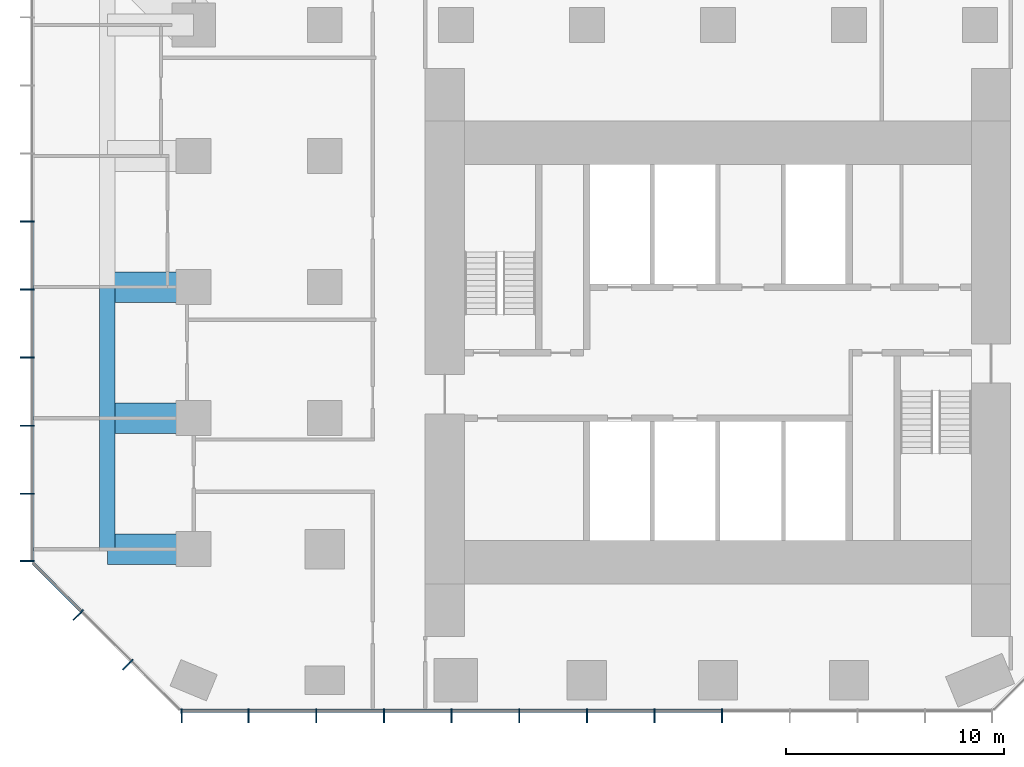
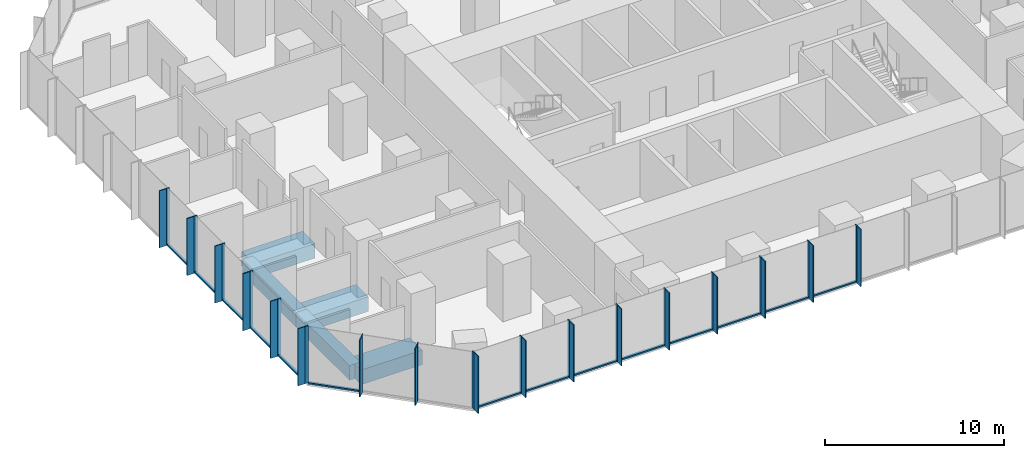
# One storey, part 2 of 11: 48 members, 5 beams, 3 elements without a shape of their own.
"""IFC4 building model written with IfcOpenShell, lengths in metres."""

from ifc_helpers import new_model, si_unit, direction, frame, origin, origin_2d, place, context, subcontext, project, spatial, rectangle, extrude, material, layer, layer_set, material_profile, profile_set, type_object, element, aggregate, save


model = new_model("IFC4")

# Units and contexts
model_context = context("Model", 3, precision=1e-05, world=origin(), true_north=direction((0.0, 1.0)))
body_context = subcontext(model_context, "Body", "Model", "MODEL_VIEW")
ifc_project = project(units=[si_unit("LENGTHUNIT", "METRE"), si_unit("AREAUNIT", "SQUARE_METRE"), si_unit("VOLUMEUNIT", "CUBIC_METRE"), si_unit("PLANEANGLEUNIT", "RADIAN"), si_unit("MASSUNIT", "GRAM", prefix="KILO")], contexts=[model_context])

# Site, building, storey
site_placement = place(None, origin())
site = spatial("IfcSite", under=ifc_project, at=site_placement, CompositionType="ELEMENT")
building_placement = place(site_placement, origin())
building = spatial("IfcBuilding", under=site, at=building_placement, Name="Highveld Stack Headquarters", CompositionType="ELEMENT")
storey_placement = place(building_placement, frame((0.0, 0.0, 97.699951171875)))
storey = spatial("IfcBuildingStorey", under=building, at=storey_placement, Name="L23", CompositionType="ELEMENT", Elevation=97.699951171875)

# Beams
ifc_material_1 = material(Name="Concrete C60/75", Category="concrete")
ifc_material_profile_1 = material_profile(ifc_material_1, rectangle(XDim=1.39990234375, YDim=1.0, at=origin_2d()), Name="RC 1400x1000")
ifc_profile_set_1 = profile_set([ifc_material_profile_1], Name="Concrete C60/75")
beam_type_1 = type_object("IfcBeamType", Name="CANTILEVER RIB RC 1400x1000", PredefinedType="USERDEFINED", material=ifc_profile_set_1)
for number, where, z_axis, x_axis, name in (
    (1, (-18.0, -6.0, -0.75), (-1.0, 0.0, 0.0), (0.0, -1.0, 0.0), "Cantilever rib 3/D L23"),
    (2, (-18.0, 0.0, -0.75), (-1.0, 0.0, 0.0), (0.0, -1.0, 0.0), "Cantilever rib 3/E L23"),
    (3, (-18.0, 6.0, -0.75), (-1.0, 0.0, 0.0), (0.0, -1.0, 0.0), "Cantilever rib 3/F L23"),
):
    element("IfcBeam", number, at=place(storey_placement, frame(where, z_axis=z_axis, x_axis=x_axis)), inside=storey, type_object=beam_type_1, Name=name, ObjectType="CANTILEVER RIB", PredefinedType="USERDEFINED", context=body_context, shape_type="SweptSolid", body=[
        extrude(rectangle(XDim=1.39990234375, YDim=1.0, at=origin_2d()), origin(), (0.0, 0.0, 1.0), 3.949951171875),
    ])

# Curtain wall, members
ifc_material_2 = material(Name="Aluminium bronze anodised", Category="aluminium")
ifc_layer_1 = layer(ifc_material_2, 0.199951171875)
ifc_layer_set_1 = layer_set([ifc_layer_1], Name="Aluminium bronze anodised")
curtain_wall_type_1 = type_object("IfcCurtainWallType", Name="CW1 TOWER UNITISED CURTAIN WALL", PredefinedType="NOTDEFINED", material=ifc_layer_set_1)
curtain_wall_1_placement = place(storey_placement, origin())
curtain_wall_1 = element("IfcCurtainWall", 4, at=curtain_wall_1_placement, inside=storey, type_object=curtain_wall_type_1, Name="Curtain wall CW1 L23 S", PredefinedType="NOTDEFINED")
ifc_material_3 = material(Name="Aluminium bronze anodised", Category="aluminium")
ifc_material_profile_2 = material_profile(ifc_material_3, rectangle(XDim=0.449951171875, YDim=0.06005859375, at=origin_2d()), Name="FIN 450x60")
ifc_profile_set_2 = profile_set([ifc_material_profile_2], Name="Aluminium bronze anodised")
member_type_1 = type_object("IfcMemberType", Name="CW1 BRONZE FIN 450x60", PredefinedType="USERDEFINED", material=ifc_profile_set_2)
member_1_placement = place(storey_placement, frame((-18.54736328125, -13.72509765625, 0.0), z_axis=(0.0, 0.0, 1.0), x_axis=(0.0, 1.0, 0.0)))
member_1 = element("IfcMember", 5, at=member_1_placement, type_object=member_type_1, Name="CW1 fin L23 1", ObjectType="FIN", PredefinedType="USERDEFINED", context=body_context, shape_type="SweptSolid", body=[
    extrude(rectangle(XDim=0.449951171875, YDim=0.06005859375, at=origin_2d()), origin(), (0.0, 0.0, 1.0), 3.900146484375),
])
member_2_placement = place(storey_placement, frame((-15.483154296875, -13.72509765625, 0.0), z_axis=(0.0, 0.0, 1.0), x_axis=(0.0, 1.0, 0.0)))
member_2 = element("IfcMember", 6, at=member_2_placement, type_object=member_type_1, Name="CW1 fin L23 2", ObjectType="FIN", PredefinedType="USERDEFINED", context=body_context, shape_type="SweptSolid", body=[
    extrude(rectangle(XDim=0.449951171875, YDim=0.06005859375, at=origin_2d()), origin(), (0.0, 0.0, 1.0), 3.900146484375),
])
member_3_placement = place(storey_placement, frame((-12.38671875, -13.72509765625, 0.0), z_axis=(0.0, 0.0, 1.0), x_axis=(0.0, 1.0, 0.0)))
member_3 = element("IfcMember", 7, at=member_3_placement, type_object=member_type_1, Name="CW1 fin L23 3", ObjectType="FIN", PredefinedType="USERDEFINED", context=body_context, shape_type="SweptSolid", body=[
    extrude(rectangle(XDim=0.449951171875, YDim=0.06005859375, at=origin_2d()), origin(), (0.0, 0.0, 1.0), 3.900146484375),
])
member_4_placement = place(storey_placement, frame((-9.289794921875, -13.72509765625, 0.0), z_axis=(0.0, 0.0, 1.0), x_axis=(0.0, 1.0, 0.0)))
member_4 = element("IfcMember", 8, at=member_4_placement, type_object=member_type_1, Name="CW1 fin L23 4", ObjectType="FIN", PredefinedType="USERDEFINED", context=body_context, shape_type="SweptSolid", body=[
    extrude(rectangle(XDim=0.449951171875, YDim=0.06005859375, at=origin_2d()), origin(), (0.0, 0.0, 1.0), 3.900146484375),
])
member_5_placement = place(storey_placement, frame((-6.193359375, -13.72509765625, 0.0), z_axis=(0.0, 0.0, 1.0), x_axis=(0.0, 1.0, 0.0)))
member_5 = element("IfcMember", 9, at=member_5_placement, type_object=member_type_1, Name="CW1 fin L23 5", ObjectType="FIN", PredefinedType="USERDEFINED", context=body_context, shape_type="SweptSolid", body=[
    extrude(rectangle(XDim=0.449951171875, YDim=0.06005859375, at=origin_2d()), origin(), (0.0, 0.0, 1.0), 3.900146484375),
])
member_6_placement = place(storey_placement, frame((-3.0966796875, -13.72509765625, 0.0), z_axis=(0.0, 0.0, 1.0), x_axis=(0.0, 1.0, 0.0)))
member_6 = element("IfcMember", 10, at=member_6_placement, type_object=member_type_1, Name="CW1 fin L23 6", ObjectType="FIN", PredefinedType="USERDEFINED", context=body_context, shape_type="SweptSolid", body=[
    extrude(rectangle(XDim=0.449951171875, YDim=0.06005859375, at=origin_2d()), origin(), (0.0, 0.0, 1.0), 3.900146484375),
])
member_7_placement = place(storey_placement, frame((0.0, -13.72509765625, 0.0), z_axis=(0.0, 0.0, 1.0), x_axis=(0.0, 1.0, 0.0)))
member_7 = element("IfcMember", 11, at=member_7_placement, type_object=member_type_1, Name="CW1 fin L23 7", ObjectType="FIN", PredefinedType="USERDEFINED", context=body_context, shape_type="SweptSolid", body=[
    extrude(rectangle(XDim=0.449951171875, YDim=0.06005859375, at=origin_2d()), origin(), (0.0, 0.0, 1.0), 3.900146484375),
])
member_8_placement = place(storey_placement, frame((3.0966796875, -13.72509765625, 0.0), z_axis=(0.0, 0.0, 1.0), x_axis=(0.0, 1.0, 0.0)))
member_8 = element("IfcMember", 12, at=member_8_placement, type_object=member_type_1, Name="CW1 fin L23 8", ObjectType="FIN", PredefinedType="USERDEFINED", context=body_context, shape_type="SweptSolid", body=[
    extrude(rectangle(XDim=0.449951171875, YDim=0.06005859375, at=origin_2d()), origin(), (0.0, 0.0, 1.0), 3.900146484375),
])
member_9_placement = place(storey_placement, frame((6.193359375, -13.72509765625, 0.0), z_axis=(0.0, 0.0, 1.0), x_axis=(0.0, 1.0, 0.0)))
member_9 = element("IfcMember", 13, at=member_9_placement, type_object=member_type_1, Name="CW1 fin L23 9", ObjectType="FIN", PredefinedType="USERDEFINED", context=body_context, shape_type="SweptSolid", body=[
    extrude(rectangle(XDim=0.449951171875, YDim=0.06005859375, at=origin_2d()), origin(), (0.0, 0.0, 1.0), 3.900146484375),
])

curtain_wall_2_placement = place(storey_placement, origin())
curtain_wall_2 = element("IfcCurtainWall", 14, at=curtain_wall_2_placement, inside=storey, type_object=curtain_wall_type_1, Name="Curtain wall CW1 L23 W", PredefinedType="NOTDEFINED")
member_10_placement = place(storey_placement, frame((-25.72509765625, 9.0, 0.0), z_axis=(0.0, 0.0, 1.0), x_axis=(1.0, 0.0, 0.0)))
member_10 = element("IfcMember", 15, at=member_10_placement, type_object=member_type_1, Name="CW1 fin L23 6", ObjectType="FIN", PredefinedType="USERDEFINED", context=body_context, shape_type="SweptSolid", body=[
    extrude(rectangle(XDim=0.449951171875, YDim=0.06005859375, at=origin_2d()), origin(), (0.0, 0.0, 1.0), 3.900146484375),
])
member_11_placement = place(storey_placement, frame((-25.72509765625, 5.884033203125, 0.0), z_axis=(0.0, 0.0, 1.0), x_axis=(1.0, 0.0, 0.0)))
member_11 = element("IfcMember", 16, at=member_11_placement, type_object=member_type_1, Name="CW1 fin L23 7", ObjectType="FIN", PredefinedType="USERDEFINED", context=body_context, shape_type="SweptSolid", body=[
    extrude(rectangle(XDim=0.449951171875, YDim=0.06005859375, at=origin_2d()), origin(), (0.0, 0.0, 1.0), 3.900146484375),
])
member_12_placement = place(storey_placement, frame((-25.72509765625, 2.76806640625, 0.0), z_axis=(0.0, 0.0, 1.0), x_axis=(1.0, 0.0, 0.0)))
member_12 = element("IfcMember", 17, at=member_12_placement, type_object=member_type_1, Name="CW1 fin L23 8", ObjectType="FIN", PredefinedType="USERDEFINED", context=body_context, shape_type="SweptSolid", body=[
    extrude(rectangle(XDim=0.449951171875, YDim=0.06005859375, at=origin_2d()), origin(), (0.0, 0.0, 1.0), 3.900146484375),
])
member_13_placement = place(storey_placement, frame((-25.72509765625, -0.347900390625, 0.0), z_axis=(0.0, 0.0, 1.0), x_axis=(1.0, 0.0, 0.0)))
member_13 = element("IfcMember", 18, at=member_13_placement, type_object=member_type_1, Name="CW1 fin L23 9", ObjectType="FIN", PredefinedType="USERDEFINED", context=body_context, shape_type="SweptSolid", body=[
    extrude(rectangle(XDim=0.449951171875, YDim=0.06005859375, at=origin_2d()), origin(), (0.0, 0.0, 1.0), 3.900146484375),
])
member_14_placement = place(storey_placement, frame((-25.72509765625, -3.4638671875, 0.0), z_axis=(0.0, 0.0, 1.0), x_axis=(1.0, 0.0, 0.0)))
member_14 = element("IfcMember", 19, at=member_14_placement, type_object=member_type_1, Name="CW1 fin L23 10", ObjectType="FIN", PredefinedType="USERDEFINED", context=body_context, shape_type="SweptSolid", body=[
    extrude(rectangle(XDim=0.449951171875, YDim=0.06005859375, at=origin_2d()), origin(), (0.0, 0.0, 1.0), 3.900146484375),
])
member_15_placement = place(storey_placement, frame((-25.72509765625, -6.54736328125, 0.0), z_axis=(0.0, 0.0, 1.0), x_axis=(1.0, 0.0, 0.0)))
member_15 = element("IfcMember", 20, at=member_15_placement, type_object=member_type_1, Name="CW1 fin L23 11", ObjectType="FIN", PredefinedType="USERDEFINED", context=body_context, shape_type="SweptSolid", body=[
    extrude(rectangle(XDim=0.449951171875, YDim=0.06005859375, at=origin_2d()), origin(), (0.0, 0.0, 1.0), 3.900146484375),
])

# Member
ifc_material_4 = material(Name="Aluminium bronze anodised", Category="aluminium")
ifc_material_profile_3 = material_profile(ifc_material_4, rectangle(XDim=0.199951171875, YDim=0.06494140625, at=origin_2d()), Name="CW1 MULLION 65x200")
ifc_profile_set_3 = profile_set([ifc_material_profile_3], Name="Aluminium bronze anodised")
member_type_2 = type_object("IfcMemberType", Name="CW1 MULLION 65x200", PredefinedType="MULLION", material=ifc_profile_set_3)
member_16_placement = place(storey_placement, frame((-18.54736328125, -13.39990234375, 0.0), z_axis=(0.0, 0.0, 1.0), x_axis=(0.0, 1.0, 0.0)))
member_16 = element("IfcMember", 21, at=member_16_placement, type_object=member_type_2, Name="CW1 mullion L23 1", PredefinedType="MULLION", context=body_context, shape_type="SweptSolid", body=[
    extrude(rectangle(XDim=0.199951171875, YDim=0.06494140625, at=origin_2d()), origin(), (0.0, 0.0, 1.0), 3.900146484375),
])

member_17_placement = place(storey_placement, frame((-15.483154296875, -13.39990234375, 0.0), z_axis=(0.0, 0.0, 1.0), x_axis=(0.0, 1.0, 0.0)))
member_17 = element("IfcMember", 22, at=member_17_placement, type_object=member_type_2, Name="CW1 mullion L23 2", PredefinedType="MULLION", context=body_context, shape_type="SweptSolid", body=[
    extrude(rectangle(XDim=0.199951171875, YDim=0.06494140625, at=origin_2d()), origin(), (0.0, 0.0, 1.0), 3.900146484375),
])

member_18_placement = place(storey_placement, frame((-12.38671875, -13.39990234375, 0.0), z_axis=(0.0, 0.0, 1.0), x_axis=(0.0, 1.0, 0.0)))
member_18 = element("IfcMember", 23, at=member_18_placement, type_object=member_type_2, Name="CW1 mullion L23 3", PredefinedType="MULLION", context=body_context, shape_type="SweptSolid", body=[
    extrude(rectangle(XDim=0.199951171875, YDim=0.06494140625, at=origin_2d()), origin(), (0.0, 0.0, 1.0), 3.900146484375),
])

member_19_placement = place(storey_placement, frame((-9.289794921875, -13.39990234375, 0.0), z_axis=(0.0, 0.0, 1.0), x_axis=(0.0, 1.0, 0.0)))
member_19 = element("IfcMember", 24, at=member_19_placement, type_object=member_type_2, Name="CW1 mullion L23 4", PredefinedType="MULLION", context=body_context, shape_type="SweptSolid", body=[
    extrude(rectangle(XDim=0.199951171875, YDim=0.06494140625, at=origin_2d()), origin(), (0.0, 0.0, 1.0), 3.900146484375),
])

member_20_placement = place(storey_placement, frame((-6.193359375, -13.39990234375, 0.0), z_axis=(0.0, 0.0, 1.0), x_axis=(0.0, 1.0, 0.0)))
member_20 = element("IfcMember", 25, at=member_20_placement, type_object=member_type_2, Name="CW1 mullion L23 5", PredefinedType="MULLION", context=body_context, shape_type="SweptSolid", body=[
    extrude(rectangle(XDim=0.199951171875, YDim=0.06494140625, at=origin_2d()), origin(), (0.0, 0.0, 1.0), 3.900146484375),
])

member_21_placement = place(storey_placement, frame((-3.0966796875, -13.39990234375, 0.0), z_axis=(0.0, 0.0, 1.0), x_axis=(0.0, 1.0, 0.0)))
member_21 = element("IfcMember", 26, at=member_21_placement, type_object=member_type_2, Name="CW1 mullion L23 6", PredefinedType="MULLION", context=body_context, shape_type="SweptSolid", body=[
    extrude(rectangle(XDim=0.199951171875, YDim=0.06494140625, at=origin_2d()), origin(), (0.0, 0.0, 1.0), 3.900146484375),
])

member_22_placement = place(storey_placement, frame((0.0, -13.39990234375, 0.0), z_axis=(0.0, 0.0, 1.0), x_axis=(0.0, 1.0, 0.0)))
member_22 = element("IfcMember", 27, at=member_22_placement, type_object=member_type_2, Name="CW1 mullion L23 7", PredefinedType="MULLION", context=body_context, shape_type="SweptSolid", body=[
    extrude(rectangle(XDim=0.199951171875, YDim=0.06494140625, at=origin_2d()), origin(), (0.0, 0.0, 1.0), 3.900146484375),
])

member_23_placement = place(storey_placement, frame((3.0966796875, -13.39990234375, 0.0), z_axis=(0.0, 0.0, 1.0), x_axis=(0.0, 1.0, 0.0)))
member_23 = element("IfcMember", 28, at=member_23_placement, type_object=member_type_2, Name="CW1 mullion L23 8", PredefinedType="MULLION", context=body_context, shape_type="SweptSolid", body=[
    extrude(rectangle(XDim=0.199951171875, YDim=0.06494140625, at=origin_2d()), origin(), (0.0, 0.0, 1.0), 3.900146484375),
])

member_24_placement = place(storey_placement, frame((6.193359375, -13.39990234375, 0.0), z_axis=(0.0, 0.0, 1.0), x_axis=(0.0, 1.0, 0.0)))
member_24 = element("IfcMember", 29, at=member_24_placement, type_object=member_type_2, Name="CW1 mullion L23 9", PredefinedType="MULLION", context=body_context, shape_type="SweptSolid", body=[
    extrude(rectangle(XDim=0.199951171875, YDim=0.06494140625, at=origin_2d()), origin(), (0.0, 0.0, 1.0), 3.900146484375),
])

member_25_placement = place(storey_placement, frame((-25.39990234375, 9.0, 0.0), z_axis=(0.0, 0.0, 1.0), x_axis=(1.0, 0.0, 0.0)))
member_25 = element("IfcMember", 30, at=member_25_placement, type_object=member_type_2, Name="CW1 mullion L23 6", PredefinedType="MULLION", context=body_context, shape_type="SweptSolid", body=[
    extrude(rectangle(XDim=0.199951171875, YDim=0.06494140625, at=origin_2d()), origin(), (0.0, 0.0, 1.0), 3.900146484375),
])

member_26_placement = place(storey_placement, frame((-25.39990234375, 5.884033203125, 0.0), z_axis=(0.0, 0.0, 1.0), x_axis=(1.0, 0.0, 0.0)))
member_26 = element("IfcMember", 31, at=member_26_placement, type_object=member_type_2, Name="CW1 mullion L23 7", PredefinedType="MULLION", context=body_context, shape_type="SweptSolid", body=[
    extrude(rectangle(XDim=0.199951171875, YDim=0.06494140625, at=origin_2d()), origin(), (0.0, 0.0, 1.0), 3.900146484375),
])

member_27_placement = place(storey_placement, frame((-25.39990234375, 2.76806640625, 0.0), z_axis=(0.0, 0.0, 1.0), x_axis=(1.0, 0.0, 0.0)))
member_27 = element("IfcMember", 32, at=member_27_placement, type_object=member_type_2, Name="CW1 mullion L23 8", PredefinedType="MULLION", context=body_context, shape_type="SweptSolid", body=[
    extrude(rectangle(XDim=0.199951171875, YDim=0.06494140625, at=origin_2d()), origin(), (0.0, 0.0, 1.0), 3.900146484375),
])

member_28_placement = place(storey_placement, frame((-25.39990234375, -0.347900390625, 0.0), z_axis=(0.0, 0.0, 1.0), x_axis=(1.0, 0.0, 0.0)))
member_28 = element("IfcMember", 33, at=member_28_placement, type_object=member_type_2, Name="CW1 mullion L23 9", PredefinedType="MULLION", context=body_context, shape_type="SweptSolid", body=[
    extrude(rectangle(XDim=0.199951171875, YDim=0.06494140625, at=origin_2d()), origin(), (0.0, 0.0, 1.0), 3.900146484375),
])

member_29_placement = place(storey_placement, frame((-25.39990234375, -3.4638671875, 0.0), z_axis=(0.0, 0.0, 1.0), x_axis=(1.0, 0.0, 0.0)))
member_29 = element("IfcMember", 34, at=member_29_placement, type_object=member_type_2, Name="CW1 mullion L23 10", PredefinedType="MULLION", context=body_context, shape_type="SweptSolid", body=[
    extrude(rectangle(XDim=0.199951171875, YDim=0.06494140625, at=origin_2d()), origin(), (0.0, 0.0, 1.0), 3.900146484375),
])

member_30_placement = place(storey_placement, frame((-25.39990234375, -6.54736328125, 0.0), z_axis=(0.0, 0.0, 1.0), x_axis=(1.0, 0.0, 0.0)))
member_30 = element("IfcMember", 35, at=member_30_placement, type_object=member_type_2, Name="CW1 mullion L23 11", PredefinedType="MULLION", context=body_context, shape_type="SweptSolid", body=[
    extrude(rectangle(XDim=0.199951171875, YDim=0.06494140625, at=origin_2d()), origin(), (0.0, 0.0, 1.0), 3.900146484375),
])

ifc_material_5 = material(Name="Aluminium bronze anodised", Category="aluminium")
ifc_material_profile_4 = material_profile(ifc_material_5, rectangle(XDim=0.14990234375, YDim=0.10009765625, at=origin_2d()), Name="CW1 TRANSOM 150x100")
ifc_profile_set_4 = profile_set([ifc_material_profile_4], Name="Aluminium bronze anodised")
member_type_3 = type_object("IfcMemberType", Name="CW1 STACK TRANSOM 150x100", PredefinedType="USERDEFINED", material=ifc_profile_set_4)
member_31_placement = place(storey_placement, frame((-18.514892578125, -13.39990234375, 0.050048828125), z_axis=(1.0, 0.0, 0.0), x_axis=(0.0, 1.0, 0.0)))
member_31 = element("IfcMember", 36, at=member_31_placement, type_object=member_type_3, Name="CW1 transom L23 1.1", ObjectType="TRANSOM", PredefinedType="USERDEFINED", context=body_context, shape_type="SweptSolid", body=[
    extrude(rectangle(XDim=0.14990234375, YDim=0.10009765625, at=origin_2d()), origin(), (0.0, 0.0, 1.0), 2.999267578125),
])

member_32_placement = place(storey_placement, frame((-15.45068359375, -13.39990234375, 0.050048828125), z_axis=(1.0, 0.0, 0.0), x_axis=(0.0, 1.0, 0.0)))
member_32 = element("IfcMember", 37, at=member_32_placement, type_object=member_type_3, Name="CW1 transom L23 2.1", ObjectType="TRANSOM", PredefinedType="USERDEFINED", context=body_context, shape_type="SweptSolid", body=[
    extrude(rectangle(XDim=0.14990234375, YDim=0.10009765625, at=origin_2d()), origin(), (0.0, 0.0, 1.0), 3.031494140625),
])

member_33_placement = place(storey_placement, frame((-12.35400390625, -13.39990234375, 0.050048828125), z_axis=(1.0, 0.0, 0.0), x_axis=(0.0, 1.0, 0.0)))
member_33 = element("IfcMember", 38, at=member_33_placement, type_object=member_type_3, Name="CW1 transom L23 3.1", ObjectType="TRANSOM", PredefinedType="USERDEFINED", context=body_context, shape_type="SweptSolid", body=[
    extrude(rectangle(XDim=0.14990234375, YDim=0.10009765625, at=origin_2d()), origin(), (0.0, 0.0, 1.0), 3.031494140625),
])

member_34_placement = place(storey_placement, frame((-9.25732421875, -13.39990234375, 0.050048828125), z_axis=(1.0, 0.0, 0.0), x_axis=(0.0, 1.0, 0.0)))
member_34 = element("IfcMember", 39, at=member_34_placement, type_object=member_type_3, Name="CW1 transom L23 4.1", ObjectType="TRANSOM", PredefinedType="USERDEFINED", context=body_context, shape_type="SweptSolid", body=[
    extrude(rectangle(XDim=0.14990234375, YDim=0.10009765625, at=origin_2d()), origin(), (0.0, 0.0, 1.0), 3.031494140625),
])

member_35_placement = place(storey_placement, frame((-6.160888671875, -13.39990234375, 0.050048828125), z_axis=(1.0, 0.0, 0.0), x_axis=(0.0, 1.0, 0.0)))
member_35 = element("IfcMember", 40, at=member_35_placement, type_object=member_type_3, Name="CW1 transom L23 5.1", ObjectType="TRANSOM", PredefinedType="USERDEFINED", context=body_context, shape_type="SweptSolid", body=[
    extrude(rectangle(XDim=0.14990234375, YDim=0.10009765625, at=origin_2d()), origin(), (0.0, 0.0, 1.0), 3.03173828125),
])

member_36_placement = place(storey_placement, frame((-3.064208984375, -13.39990234375, 0.050048828125), z_axis=(1.0, 0.0, 0.0), x_axis=(0.0, 1.0, 0.0)))
member_36 = element("IfcMember", 41, at=member_36_placement, type_object=member_type_3, Name="CW1 transom L23 6.1", ObjectType="TRANSOM", PredefinedType="USERDEFINED", context=body_context, shape_type="SweptSolid", body=[
    extrude(rectangle(XDim=0.14990234375, YDim=0.10009765625, at=origin_2d()), origin(), (0.0, 0.0, 1.0), 3.03173828125),
])

member_37_placement = place(storey_placement, frame((0.032470703125, -13.39990234375, 0.050048828125), z_axis=(1.0, 0.0, 0.0), x_axis=(0.0, 1.0, 0.0)))
member_37 = element("IfcMember", 42, at=member_37_placement, type_object=member_type_3, Name="CW1 transom L23 7.1", ObjectType="TRANSOM", PredefinedType="USERDEFINED", context=body_context, shape_type="SweptSolid", body=[
    extrude(rectangle(XDim=0.14990234375, YDim=0.10009765625, at=origin_2d()), origin(), (0.0, 0.0, 1.0), 3.03173828125),
])

member_38_placement = place(storey_placement, frame((3.129150390625, -13.39990234375, 0.050048828125), z_axis=(1.0, 0.0, 0.0), x_axis=(0.0, 1.0, 0.0)))
member_38 = element("IfcMember", 43, at=member_38_placement, type_object=member_type_3, Name="CW1 transom L23 8.1", ObjectType="TRANSOM", PredefinedType="USERDEFINED", context=body_context, shape_type="SweptSolid", body=[
    extrude(rectangle(XDim=0.14990234375, YDim=0.10009765625, at=origin_2d()), origin(), (0.0, 0.0, 1.0), 3.03173828125),
])

aggregate(curtain_wall_1, [member_16, member_1, member_17, member_2, member_18, member_3, member_19, member_4, member_20, member_5, member_21, member_6, member_22, member_7, member_23, member_8, member_24, member_9, member_31, member_32, member_33, member_34, member_35, member_36, member_37, member_38])

member_39_placement = place(storey_placement, frame((-25.39990234375, 8.967529296875, 0.050048828125), z_axis=(0.0, -1.0, 0.0), x_axis=(1.0, 0.0, 0.0)))
member_39 = element("IfcMember", 44, at=member_39_placement, type_object=member_type_3, Name="CW1 transom L23 6.1", ObjectType="TRANSOM", PredefinedType="USERDEFINED", context=body_context, shape_type="SweptSolid", body=[
    extrude(rectangle(XDim=0.14990234375, YDim=0.10009765625, at=origin_2d()), origin(), (0.0, 0.0, 1.0), 3.051025390625),
])

member_40_placement = place(storey_placement, frame((-25.39990234375, 5.8515625, 0.050048828125), z_axis=(0.0, -1.0, 0.0), x_axis=(1.0, 0.0, 0.0)))
member_40 = element("IfcMember", 45, at=member_40_placement, type_object=member_type_3, Name="CW1 transom L23 7.1", ObjectType="TRANSOM", PredefinedType="USERDEFINED", context=body_context, shape_type="SweptSolid", body=[
    extrude(rectangle(XDim=0.14990234375, YDim=0.10009765625, at=origin_2d()), origin(), (0.0, 0.0, 1.0), 3.051025390625),
])

member_41_placement = place(storey_placement, frame((-25.39990234375, 2.735595703125, 0.050048828125), z_axis=(0.0, -1.0, 0.0), x_axis=(1.0, 0.0, 0.0)))
member_41 = element("IfcMember", 46, at=member_41_placement, type_object=member_type_3, Name="CW1 transom L23 8.1", ObjectType="TRANSOM", PredefinedType="USERDEFINED", context=body_context, shape_type="SweptSolid", body=[
    extrude(rectangle(XDim=0.14990234375, YDim=0.10009765625, at=origin_2d()), origin(), (0.0, 0.0, 1.0), 3.051025390625),
])

member_42_placement = place(storey_placement, frame((-25.39990234375, -0.38037109375, 0.050048828125), z_axis=(0.0, -1.0, 0.0), x_axis=(1.0, 0.0, 0.0)))
member_42 = element("IfcMember", 47, at=member_42_placement, type_object=member_type_3, Name="CW1 transom L23 9.1", ObjectType="TRANSOM", PredefinedType="USERDEFINED", context=body_context, shape_type="SweptSolid", body=[
    extrude(rectangle(XDim=0.14990234375, YDim=0.10009765625, at=origin_2d()), origin(), (0.0, 0.0, 1.0), 3.051025390625),
])

member_43_placement = place(storey_placement, frame((-25.39990234375, -3.496337890625, 0.050048828125), z_axis=(0.0, -1.0, 0.0), x_axis=(1.0, 0.0, 0.0)))
member_43 = element("IfcMember", 48, at=member_43_placement, type_object=member_type_3, Name="CW1 transom L23 10.1", ObjectType="TRANSOM", PredefinedType="USERDEFINED", context=body_context, shape_type="SweptSolid", body=[
    extrude(rectangle(XDim=0.14990234375, YDim=0.10009765625, at=origin_2d()), origin(), (0.0, 0.0, 1.0), 3.0185546875),
])

aggregate(curtain_wall_2, [member_25, member_10, member_26, member_11, member_27, member_12, member_28, member_13, member_29, member_14, member_30, member_15, member_39, member_40, member_41, member_42, member_43])

# Curtain wall, members
ifc_material_6 = material(Name="Aluminium bronze anodised", Category="aluminium")
ifc_layer_2 = layer(ifc_material_6, 0.199951171875)
ifc_layer_set_2 = layer_set([ifc_layer_2], Name="Aluminium bronze anodised")
curtain_wall_type_2 = type_object("IfcCurtainWallType", Name="CW2 TOWER CHAMFER UNITISED CURTAIN WALL", PredefinedType="NOTDEFINED", material=ifc_layer_set_2)
curtain_wall_3_placement = place(storey_placement, origin())
curtain_wall_3 = element("IfcCurtainWall", 49, at=curtain_wall_3_placement, inside=storey, type_object=curtain_wall_type_2, Name="Curtain wall CW2 L23 SW", PredefinedType="NOTDEFINED")
ifc_material_7 = material(Name="Aluminium bronze anodised", Category="aluminium")
ifc_material_profile_5 = material_profile(ifc_material_7, rectangle(XDim=0.449951171875, YDim=0.06005859375, at=origin_2d()), Name="FIN 450x60")
ifc_profile_set_5 = profile_set([ifc_material_profile_5], Name="Aluminium bronze anodised")
member_type_4 = type_object("IfcMemberType", Name="CW2 BRONZE FIN 450x60", PredefinedType="USERDEFINED", material=ifc_profile_set_5)
member_44_placement = place(storey_placement, frame((-23.3564453125, -9.0830078125, 0.0), z_axis=(0.0, 0.0, 1.0), x_axis=(0.707106781187, 0.707106781187, 0.0)))
member_44 = element("IfcMember", 50, at=member_44_placement, type_object=member_type_4, Name="CW2 fin L23 1", ObjectType="FIN", PredefinedType="USERDEFINED", context=body_context, shape_type="SweptSolid", body=[
    extrude(rectangle(XDim=0.449951171875, YDim=0.06005859375, at=origin_2d()), origin(), (0.0, 0.0, 1.0), 3.900146484375),
])
member_45_placement = place(storey_placement, frame((-21.0830078125, -11.3564453125, 0.0), z_axis=(0.0, 0.0, 1.0), x_axis=(0.707106781187, 0.707106781187, 0.0)))
member_45 = element("IfcMember", 51, at=member_45_placement, type_object=member_type_4, Name="CW2 fin L23 2", ObjectType="FIN", PredefinedType="USERDEFINED", context=body_context, shape_type="SweptSolid", body=[
    extrude(rectangle(XDim=0.449951171875, YDim=0.06005859375, at=origin_2d()), origin(), (0.0, 0.0, 1.0), 3.900146484375),
])
ifc_material_8 = material(Name="Aluminium bronze anodised", Category="aluminium")
ifc_material_profile_6 = material_profile(ifc_material_8, rectangle(XDim=0.199951171875, YDim=0.06494140625, at=origin_2d()), Name="CW2 MULLION 65x200")
ifc_profile_set_6 = profile_set([ifc_material_profile_6], Name="Aluminium bronze anodised")
member_type_5 = type_object("IfcMemberType", Name="CW2 MULLION 65x200", PredefinedType="MULLION", material=ifc_profile_set_6)
member_46_placement = place(storey_placement, frame((-23.126708984375, -8.853271484375, 0.0), z_axis=(0.0, 0.0, 1.0), x_axis=(0.707106781187, 0.707106781187, 0.0)))
member_46 = element("IfcMember", 52, at=member_46_placement, type_object=member_type_5, Name="CW2 mullion L23 1", PredefinedType="MULLION", context=body_context, shape_type="SweptSolid", body=[
    extrude(rectangle(XDim=0.199951171875, YDim=0.06494140625, at=origin_2d()), origin(), (0.0, 0.0, 1.0), 3.900146484375),
])
member_47_placement = place(storey_placement, frame((-20.853271484375, -11.126708984375, 0.0), z_axis=(0.0, 0.0, 1.0), x_axis=(0.707106781187, 0.707106781187, 0.0)))
member_47 = element("IfcMember", 53, at=member_47_placement, type_object=member_type_5, Name="CW2 mullion L23 2", PredefinedType="MULLION", context=body_context, shape_type="SweptSolid", body=[
    extrude(rectangle(XDim=0.199951171875, YDim=0.06494140625, at=origin_2d()), origin(), (0.0, 0.0, 1.0), 3.900146484375),
])
ifc_material_9 = material(Name="Aluminium bronze anodised", Category="aluminium")
ifc_material_profile_7 = material_profile(ifc_material_9, rectangle(XDim=0.14990234375, YDim=0.10009765625, at=origin_2d()), Name="CW2 TRANSOM 150x100")
ifc_profile_set_7 = profile_set([ifc_material_profile_7], Name="Aluminium bronze anodised")
member_type_6 = type_object("IfcMemberType", Name="CW2 STACK TRANSOM 150x100", PredefinedType="USERDEFINED", material=ifc_profile_set_7)
member_48_placement = place(storey_placement, frame((-25.329345703125, -6.650634765625, 0.050048828125), z_axis=(0.707106781187, -0.707106781187, 0.0), x_axis=(0.707106781187, 0.707106781187, 0.0)))
member_48 = element("IfcMember", 54, at=member_48_placement, type_object=member_type_6, Name="CW2 transom L23 1.1", ObjectType="TRANSOM", PredefinedType="USERDEFINED", context=body_context, shape_type="SweptSolid", body=[
    extrude(rectangle(XDim=0.14990234375, YDim=0.10009765625, at=origin_2d()), origin(), (0.0, 0.0, 1.0), 3.08251953125),
])
aggregate(curtain_wall_3, [member_46, member_44, member_47, member_45, member_48])

# Beams
ifc_material_10 = material(Name="Concrete C60/75", Category="concrete")
ifc_material_profile_8 = material_profile(ifc_material_10, rectangle(XDim=0.699951171875, YDim=1.0, at=origin_2d()), Name="RC 700x1000")
ifc_profile_set_8 = profile_set([ifc_material_profile_8], Name="Concrete C60/75")
beam_type_2 = type_object("IfcBeamType", Name="RIB TIP BEAM RC 700x1000", PredefinedType="SPANDREL", material=ifc_profile_set_8)
for number, where, z_axis, x_axis, name in (
    (55, (-21.949951171875, -6.0, -0.75), (0.0, 1.0, 0.0), (-1.0, 0.0, 0.0), "Rib tip beam 3/D to 3/E L23"),
    (56, (-21.949951171875, 0.0, -0.75), (0.0, 1.0, 0.0), (-1.0, 0.0, 0.0), "Rib tip beam 3/E to 3/F L23"),
):
    element("IfcBeam", number, at=place(storey_placement, frame(where, z_axis=z_axis, x_axis=x_axis)), inside=storey, type_object=beam_type_2, Name=name, PredefinedType="SPANDREL", context=body_context, shape_type="SweptSolid", body=[
        extrude(rectangle(XDim=0.699951171875, YDim=1.0, at=origin_2d()), origin(), (0.0, 0.0, 1.0), 6.0),
    ])

save(model, "model.ifc")
